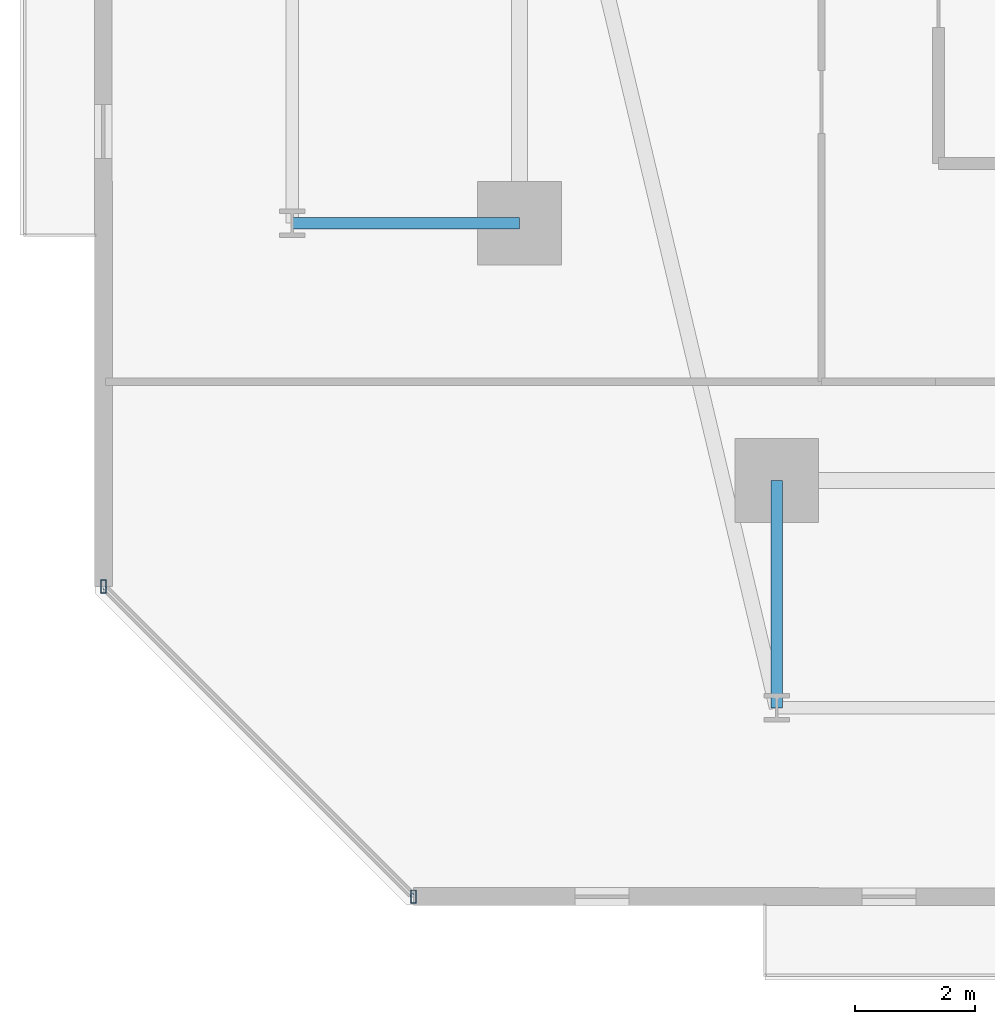
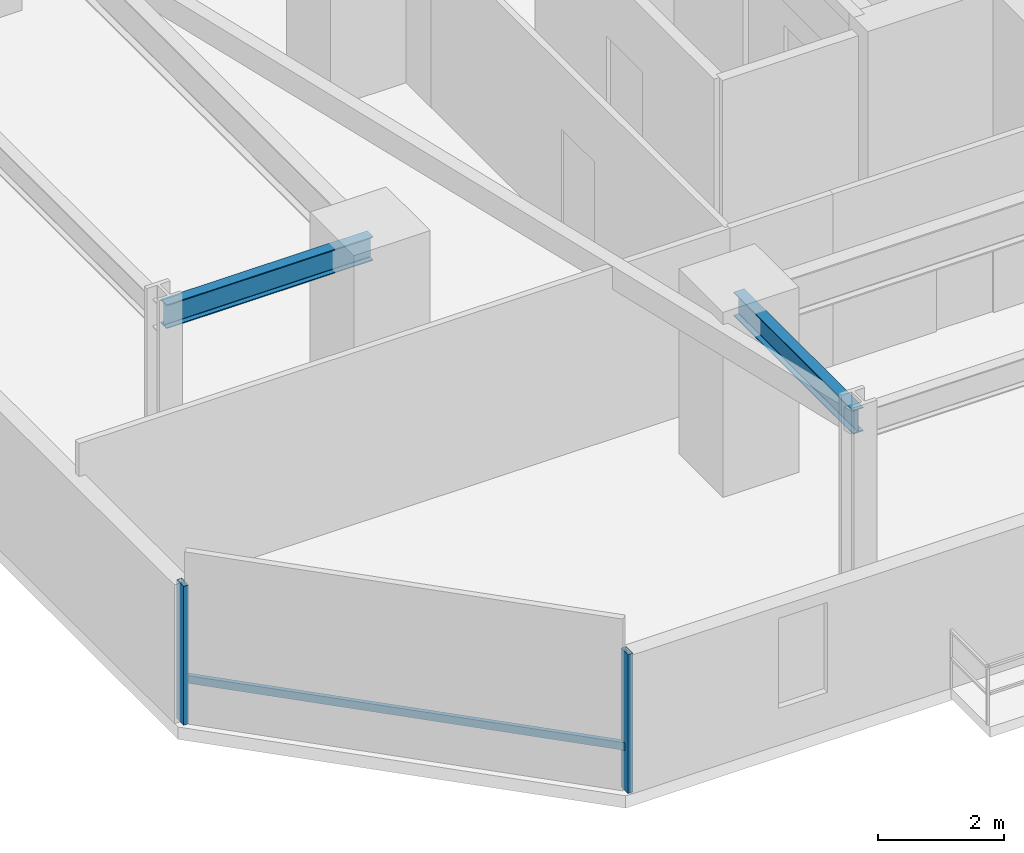
# One storey, part 3 of 33: 3 members, 2 beams, 1 element without a shape of its own.
"""IFC4 building model written with IfcOpenShell, lengths in metres."""

from ifc_helpers import new_model, si_unit, direction, frame, origin, origin_2d, place, context, subcontext, project, spatial, hollow_rectangle, i_section, extrude, material, material_profile, profile_set, type_object, element, aggregate, save


model = new_model("IFC4")

# Units and contexts
model_context = context("Model", 3, precision=1e-05, world=origin(), true_north=direction((0.0, 1.0)))
body_context = subcontext(model_context, "Body", "Model", "MODEL_VIEW")
ifc_project = project(units=[si_unit("LENGTHUNIT", "METRE"), si_unit("AREAUNIT", "SQUARE_METRE"), si_unit("VOLUMEUNIT", "CUBIC_METRE"), si_unit("PLANEANGLEUNIT", "RADIAN"), si_unit("MASSUNIT", "GRAM", prefix="KILO")], contexts=[model_context])

# Site, building, storey
site_placement = place(None, origin())
site = spatial("IfcSite", under=ifc_project, at=site_placement, CompositionType="ELEMENT")
building_placement = place(site_placement, origin())
building = spatial("IfcBuilding", under=site, at=building_placement, Name="Thornwick Lancets Civic Towers", CompositionType="ELEMENT")
storey_placement = place(building_placement, frame((0.0, 0.0, 38.699951171875)))
storey = spatial("IfcBuildingStorey", under=building, at=storey_placement, Name="L09", CompositionType="ELEMENT", Elevation=38.699951171875)

# Beams
ifc_material_1 = material(Name="Steel S355JR", Category="steel")
ifc_material_profile_1 = material_profile(ifc_material_1, i_section(OverallWidth=0.19189453125, OverallDepth=0.46337890625, WebThickness=0.010498046875, FlangeThickness=0.017578125, FilletRadius=0.01025390625, at=origin_2d()), Name="UKB 457x191x89")
ifc_profile_set_1 = profile_set([ifc_material_profile_1], Name="Steel S355JR")
beam_type = type_object("IfcBeamType", Name="BM_JOIST_457_89", PredefinedType="JOIST", material=ifc_profile_set_1)
for number, where, z_axis, x_axis, name in (
    (1, (12.5, 9.699951171875, 3.12841796875), (0.0, -1.0, 0.0), (1.0, 0.0, 0.0), "BM-RAD-L09-A01"),
    (2, (8.199951171875, 14.0, 3.12841796875), (-1.0, 0.0, 0.0), (0.0, -1.0, 0.0), "BM-RAD-L09-A10"),
):
    element("IfcBeam", number, at=place(storey_placement, frame(where, z_axis=z_axis, x_axis=x_axis)), inside=storey, type_object=beam_type, Name=name, PredefinedType="JOIST", context=body_context, shape_type="SweptSolid", body=[
        extrude(i_section(OverallWidth=0.19189453125, OverallDepth=0.46337890625, WebThickness=0.010498046875, FlangeThickness=0.017578125, FilletRadius=0.01025390625, at=origin_2d()), origin(), (0.0, 0.0, 1.0), 3.800048828125),
    ])

# Curtain wall, members
ifc_material_2 = material(Name="Low-zone chamfered-corner unitised glass curtain wall", Category="glass")
curtain_wall_type = type_object("IfcCurtainWallType", Name="CW_SYS_03", PredefinedType="NOTDEFINED", material=ifc_material_2)
curtain_wall_placement = place(storey_placement, origin())
curtain_wall = element("IfcCurtainWall", 3, at=curtain_wall_placement, inside=storey, type_object=curtain_wall_type, Name="L09 Curtain Wall CW-L09-A-E7", PredefinedType="NOTDEFINED")
ifc_material_3 = material(Name="Thermally broken bronze aluminium S355", Category="steel")
ifc_material_profile_2 = material_profile(ifc_material_3, hollow_rectangle(XDim=0.090087890625, YDim=0.219970703125, WallThickness=0.00634765625, at=origin_2d()), Name="RHS 220x90x6.3")
ifc_profile_set_2 = profile_set([ifc_material_profile_2], Name="Thermally broken bronze aluminium S355")
member_type_1 = type_object("IfcMemberType", Name="CW_MUL_220", PredefinedType="MULLION", material=ifc_profile_set_2)
member_1_placement = place(storey_placement, frame((1.24365234375, 7.926513671875, 0.0), z_axis=(0.0, 0.0, 1.0), x_axis=(1.0, 0.0, 0.0)))
member_1 = element("IfcMember", 4, at=member_1_placement, type_object=member_type_1, Name="CW-L09-A-E7 Mullion 0", PredefinedType="MULLION", context=body_context, shape_type="SweptSolid", body=[
    extrude(hollow_rectangle(XDim=0.090087890625, YDim=0.219970703125, WallThickness=0.00634765625, at=origin_2d()), origin(), (0.0, 0.0, 1.0), 2.699951171875),
])
member_2_placement = place(storey_placement, frame((6.426513671875, 2.74365234375, 0.0), z_axis=(0.0, 0.0, 1.0), x_axis=(1.0, 0.0, 0.0)))
member_2 = element("IfcMember", 5, at=member_2_placement, type_object=member_type_1, Name="CW-L09-A-E7 Mullion 1", PredefinedType="MULLION", context=body_context, shape_type="SweptSolid", body=[
    extrude(hollow_rectangle(XDim=0.090087890625, YDim=0.219970703125, WallThickness=0.00634765625, at=origin_2d()), origin(), (0.0, 0.0, 1.0), 2.699951171875),
])
ifc_material_profile_3 = material_profile(ifc_material_3, hollow_rectangle(XDim=0.074951171875, YDim=0.14990234375, WallThickness=0.0048828125, at=origin_2d()), Name="RHS 150x75x5")
ifc_profile_set_3 = profile_set([ifc_material_profile_3], Name="Thermally broken bronze aluminium S355")
member_type_2 = type_object("IfcMemberType", Name="CW_TRN_150", PredefinedType="USERDEFINED", material=ifc_profile_set_3)
member_3_placement = place(storey_placement, frame((1.2578125, 7.91259765625, 0.85009765625), z_axis=(0.707106781187, -0.707106781187, 0.0), x_axis=(0.707106781187, 0.707106781187, 0.0)))
member_3 = element("IfcMember", 6, at=member_3_placement, type_object=member_type_2, Name="CW-L09-A-E7 Transom 0", ObjectType="TRANSOM", PredefinedType="USERDEFINED", context=body_context, shape_type="SweptSolid", body=[
    extrude(hollow_rectangle(XDim=0.074951171875, YDim=0.14990234375, WallThickness=0.0048828125, at=origin_2d()), origin(), (0.0, 0.0, 1.0), 7.2900390625),
])
aggregate(curtain_wall, [member_1, member_2, member_3])

save(model, "model.ifc")
